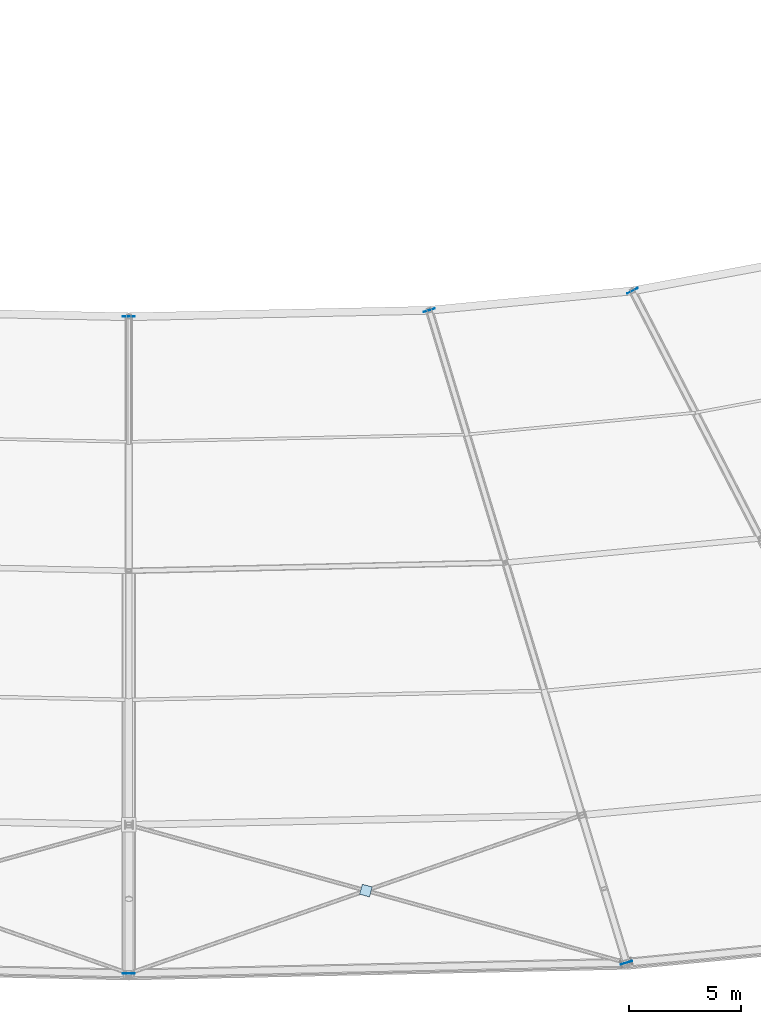
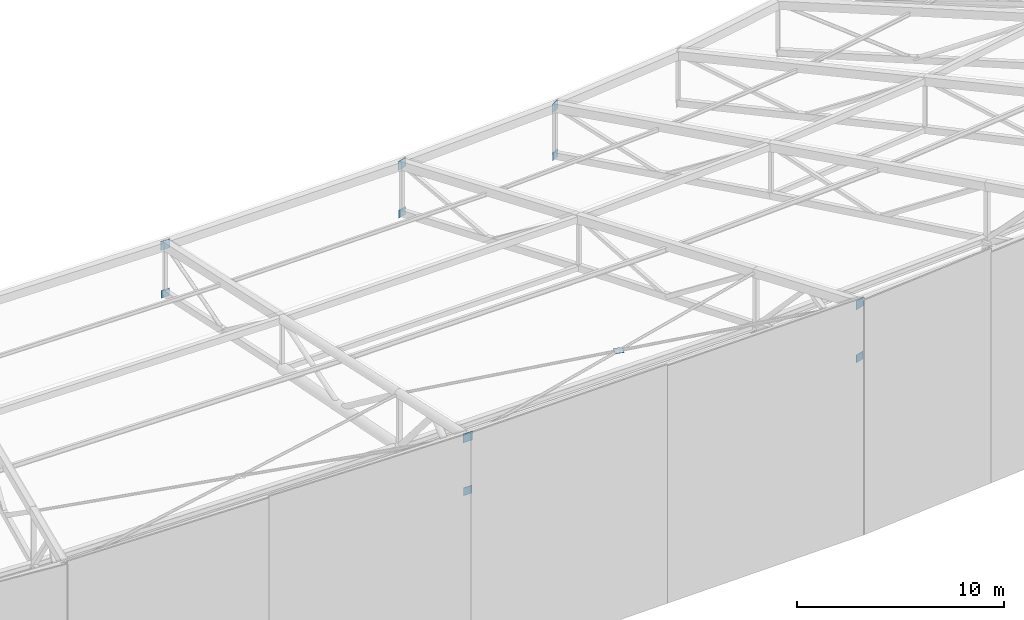
# One storey, part 113 of 143: 11 plates.
"""IFC4 building model written with IfcOpenShell, lengths in metres."""

from ifc_helpers import new_model, si_unit, direction, frame, origin, origin_2d, place, context, subcontext, project, spatial, rectangle, extrude, material, layer, layer_set, type_object, element, save


model = new_model("IFC4")

# Units and contexts
model_context = context("Model", 3, precision=1e-05, world=origin(), true_north=direction((0.0, 1.0)))
body_context = subcontext(model_context, "Body", "Model", "MODEL_VIEW")
ifc_project = project(units=[si_unit("LENGTHUNIT", "METRE"), si_unit("AREAUNIT", "SQUARE_METRE"), si_unit("VOLUMEUNIT", "CUBIC_METRE"), si_unit("PLANEANGLEUNIT", "RADIAN"), si_unit("MASSUNIT", "GRAM", prefix="KILO")], contexts=[model_context])

# Site, building, storey
site_placement = place(None, origin())
site = spatial("IfcSite", under=ifc_project, at=site_placement, CompositionType="ELEMENT")
building_placement = place(site_placement, origin())
building = spatial("IfcBuilding", under=site, at=building_placement, Name="Mphavela Belvedere Stadium", CompositionType="ELEMENT")
storey_placement = place(building_placement, frame((0.0, 0.0, 28.800048828125)))
storey = spatial("IfcBuildingStorey", under=building, at=storey_placement, Name="RF", CompositionType="ELEMENT", Elevation=28.800048828125)

# Plates
ifc_material_1 = material(Name="Steel S355", Category="steel")
ifc_layer_1 = layer(ifc_material_1, 0.01806640625)
ifc_layer_set_1 = layer_set([ifc_layer_1], Name="Steel S355")
plate_type_1 = type_object("IfcPlateType", Name="PLT-CAP-TRUSS-BC", PredefinedType="USERDEFINED", material=ifc_layer_set_1)
for number, where, z_axis, x_axis, name in (
    (1, (115.0, 42.52001953125, 4.215087890625), (0.0, 0.0, 1.0), (0.0, -1.0, 0.0), "Roof truss RT-37 hollow-end cap plate in_bc"),
    (2, (115.0, 13.330078125, 10.281005859375), (0.0, 0.0, 1.0), (0.0, -1.0, 0.0), "Roof truss RT-37 hollow-end cap plate out_bc"),
):
    element("IfcPlate", number, at=place(storey_placement, frame(where, z_axis=z_axis, x_axis=x_axis)), inside=storey, type_object=plate_type_1, Name=name, ObjectType="GUSSET_PLATE", PredefinedType="USERDEFINED", context=body_context, shape_type="SweptSolid", body=[
        extrude(rectangle(XDim=0.01806640625, YDim=0.4599609375, at=origin_2d()), origin(), (0.0, 0.0, 1.0), 0.4599609375),
    ])
plate_placement = place(storey_placement, frame((125.53857421875, 17.012939453125, 12.8203125), z_axis=(0.0, 0.0, 1.0), x_axis=(0.96372367829, -0.26690198932, 0.0)))
element("IfcPlate", 3, at=plate_placement, inside=storey, type_object=plate_type_1, Name="Roof X-brace crossing gusset node plate 37", ObjectType="GUSSET_PLATE", PredefinedType="USERDEFINED", context=body_context, shape_type="SweptSolid", body=[
    extrude(rectangle(XDim=0.4599609375, YDim=0.4599609375, at=origin_2d()), origin(), (0.0, 0.0, 1.0), 0.01806640625),
])
for number, where, z_axis, x_axis, name in (
    (4, (128.352294921875, 42.8076171875, 4.116455078125), (0.0, 0.0, 1.0), (0.289198876314, -0.957269037387, 0.0), "Roof truss RT-38 hollow-end cap plate in_bc"),
    (5, (137.114501953125, 13.80615234375, 10.117431640625), (0.0, 0.0, 1.0), (0.289198876314, -0.957269037387, 0.0), "Roof truss RT-38 hollow-end cap plate out_bc"),
    (6, (137.383544921875, 43.668701171875, 3.826904296875), (0.0, 0.0, 1.0), (0.458959712465, -0.888457079624, 0.0), "Roof truss RT-39 hollow-end cap plate in_bc"),
):
    element("IfcPlate", number, at=place(storey_placement, frame(where, z_axis=z_axis, x_axis=x_axis)), inside=storey, type_object=plate_type_1, Name=name, ObjectType="GUSSET_PLATE", PredefinedType="USERDEFINED", context=body_context, shape_type="SweptSolid", body=[
        extrude(rectangle(XDim=0.01806640625, YDim=0.4599609375, at=origin_2d()), origin(), (0.0, 0.0, 1.0), 0.4599609375),
    ])
ifc_material_2 = material(Name="Steel S355", Category="steel")
ifc_layer_2 = layer(ifc_material_2, 0.02001953125)
ifc_layer_set_2 = layer_set([ifc_layer_2], Name="Steel S355")
plate_type_2 = type_object("IfcPlateType", Name="PLT-CAP-TRUSS-TC", PredefinedType="USERDEFINED", material=ifc_layer_set_2)
for number, where, z_axis, x_axis, name in (
    (7, (115.0, 42.52001953125, 7.03515625), (0.0, 0.0, 1.0), (0.0, -1.0, 0.0), "Roof truss RT-37 hollow-end cap plate in_tc"),
    (8, (115.0, 13.330078125, 13.40087890625), (0.0, 0.0, 1.0), (0.0, -1.0, 0.0), "Roof truss RT-37 hollow-end cap plate out_tc"),
    (9, (128.352294921875, 42.8076171875, 6.9365234375), (0.0, 0.0, 1.0), (0.289198876314, -0.957269037387, 0.0), "Roof truss RT-38 hollow-end cap plate in_tc"),
    (10, (137.114501953125, 13.80615234375, 13.2373046875), (0.0, 0.0, 1.0), (0.289198876314, -0.957269037387, 0.0), "Roof truss RT-38 hollow-end cap plate out_tc"),
    (11, (137.383544921875, 43.668701171875, 6.646728515625), (0.0, 0.0, 1.0), (0.458959712465, -0.888457079624, 0.0), "Roof truss RT-39 hollow-end cap plate in_tc"),
):
    element("IfcPlate", number, at=place(storey_placement, frame(where, z_axis=z_axis, x_axis=x_axis)), inside=storey, type_object=plate_type_2, Name=name, ObjectType="GUSSET_PLATE", PredefinedType="USERDEFINED", context=body_context, shape_type="SweptSolid", body=[
        extrude(rectangle(XDim=0.02001953125, YDim=0.52001953125, at=origin_2d()), origin(), (0.0, 0.0, 1.0), 0.52001953125),
    ])

save(model, "model.ifc")
